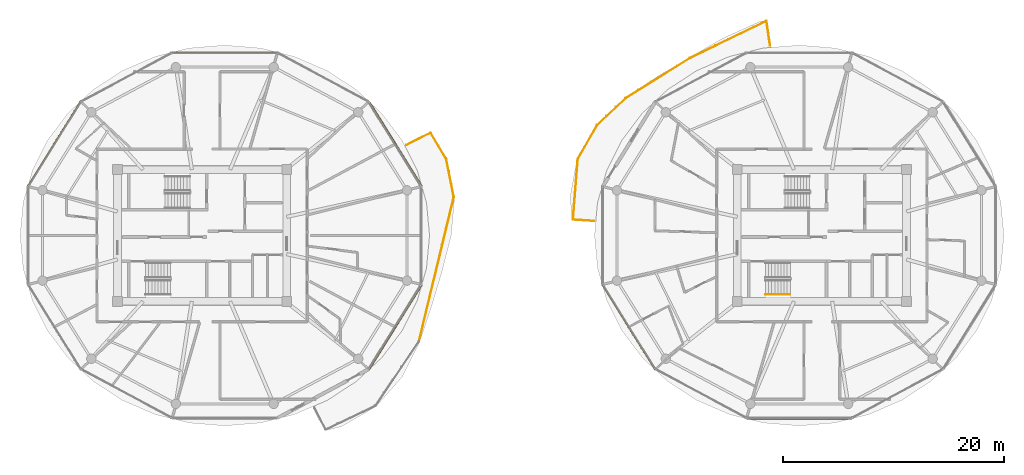
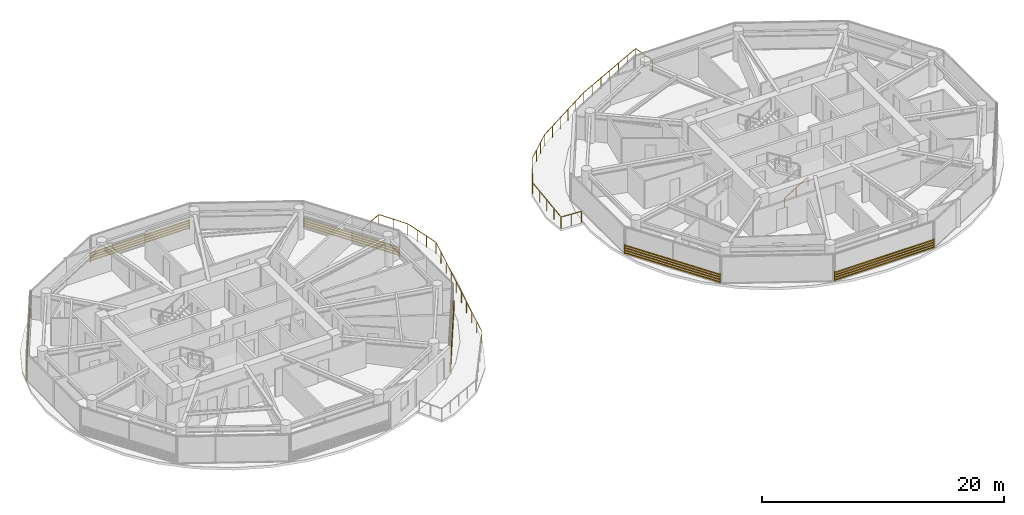
# One storey, part 21 of 22: 6 shading devices, 4 railings.
"""IFC4 building model written with IfcOpenShell, lengths in metres."""

from ifc_helpers import new_model, si_unit, direction, frame, origin, origin_2d, place, context, subcontext, project, spatial, rectangle, extrude, source, transform, mapped, material, type_object, type_shapes, element, save


model = new_model("IFC4")

# Units and contexts
model_context = context("Model", 3, precision=1e-05, world=origin(), true_north=direction((0.0, 1.0)))
body_context = subcontext(model_context, "Body", "Model", "MODEL_VIEW")
ifc_project = project(units=[si_unit("LENGTHUNIT", "METRE"), si_unit("AREAUNIT", "SQUARE_METRE"), si_unit("VOLUMEUNIT", "CUBIC_METRE"), si_unit("PLANEANGLEUNIT", "RADIAN"), si_unit("MASSUNIT", "GRAM", prefix="KILO")], contexts=[model_context])

# Site, building, storey
site_placement = place(None, origin())
site = spatial("IfcSite", under=ifc_project, at=site_placement, CompositionType="ELEMENT")
building_placement = place(site_placement, origin())
building = spatial("IfcBuilding", under=site, at=building_placement, Name="Norrkilde Senior Care Towers", CompositionType="ELEMENT")
storey_placement = place(building_placement, frame((0.0, 0.0, 123.699951171875)))
storey = spatial("IfcBuildingStorey", under=building, at=storey_placement, Name="L38", CompositionType="ELEMENT", Elevation=123.699951171875)

# Railings
ifc_material_1 = material(Name="Anodised Aluminium", Category="aluminium")
railing_type_1 = type_object("IfcRailingType", Name="Balcony Swirl Ribbon Guardrail 1150", PredefinedType="GUARDRAIL", material=ifc_material_1)
railing_1_placement = place(storey_placement, frame((5.948486328125, 6.909423828125, 0.0)))
element("IfcRailing", 1, at=railing_1_placement, inside=storey, type_object=railing_type_1, Name="L38 Perimeter Safety Guard 01", PredefinedType="GUARDRAIL", context=body_context, shape_type="SweptSolid", body=[
    extrude(rectangle(XDim=0.048095703125, YDim=0.048095703125, at=origin_2d()), frame((0.0, 0.0, 1.1259765625), z_axis=(0.495572658722, 0.868566485611, 0.0), x_axis=(-0.868566485611, 0.495572658722, 0.0)), (0.0, 0.0, 1.0), 3.488525390625),
    extrude(rectangle(XDim=0.048095703125, YDim=0.048095703125, at=origin_2d()), frame((1.77880859375, 3.093505859375, 1.1259765625), z_axis=(0.727926190241, 0.685655497725, 0.0), x_axis=(-0.685655497725, 0.727926190241, 0.0)), (0.0, 0.0, 1.0), 3.452880859375),
    extrude(rectangle(XDim=0.048095703125, YDim=0.048095703125, at=origin_2d()), frame((4.356689453125, 5.5107421875, 1.1259765625), z_axis=(0.848453626769, 0.529269726342, 0.0), x_axis=(-0.529269726342, 0.848453626769, 0.0)), (0.0, 0.0, 1.0), 6.781494140625),
    extrude(rectangle(XDim=0.048095703125, YDim=0.048095703125, at=origin_2d()), frame((10.18212890625, 9.139404296875, 1.1259765625), z_axis=(0.899979957408, 0.435931274702, 0.0), x_axis=(-0.435931274702, 0.899979957408, 0.0)), (0.0, 0.0, 1.0), 7.585205078125),
    extrude(rectangle(XDim=0.048095703125, YDim=0.048095703125, at=origin_2d()), frame((17.051513671875, 12.42333984375, 1.1259765625), z_axis=(0.146766814585, -0.989171118734, 0.0), x_axis=(0.989171118734, 0.146766814585, 0.0)), (0.0, 0.0, 1.0), 2.189697265625),
    extrude(rectangle(XDim=0.0419921875, YDim=0.0419921875, at=origin_2d()), origin(), (0.0, 0.0, 1.0), 1.099853515625),
    extrude(rectangle(XDim=0.0419921875, YDim=0.0419921875, at=origin_2d()), frame((0.5830078125, 1.021728515625, 0.0)), (0.0, 0.0, 1.0), 1.099853515625),
    extrude(rectangle(XDim=0.0419921875, YDim=0.0419921875, at=origin_2d()), frame((1.166015625, 2.043701171875, 0.0)), (0.0, 0.0, 1.0), 1.099853515625),
    extrude(rectangle(XDim=0.0419921875, YDim=0.0419921875, at=origin_2d()), frame((1.7490234375, 3.0654296875, 0.0)), (0.0, 0.0, 1.0), 1.099853515625),
    extrude(rectangle(XDim=0.0419921875, YDim=0.0419921875, at=origin_2d()), frame((2.606689453125, 3.873291015625, 0.0)), (0.0, 0.0, 1.0), 1.099853515625),
    extrude(rectangle(XDim=0.0419921875, YDim=0.0419921875, at=origin_2d()), frame((3.46435546875, 4.68115234375, 0.0)), (0.0, 0.0, 1.0), 1.099853515625),
    extrude(rectangle(XDim=0.0419921875, YDim=0.0419921875, at=origin_2d()), frame((4.322021484375, 5.489013671875, 0.0)), (0.0, 0.0, 1.0), 1.099853515625),
    extrude(rectangle(XDim=0.0419921875, YDim=0.0419921875, at=origin_2d()), frame((5.486572265625, 6.215576171875, 0.0)), (0.0, 0.0, 1.0), 1.099853515625),
    extrude(rectangle(XDim=0.0419921875, YDim=0.0419921875, at=origin_2d()), frame((6.6513671875, 6.942138671875, 0.0)), (0.0, 0.0, 1.0), 1.099853515625),
    extrude(rectangle(XDim=0.0419921875, YDim=0.0419921875, at=origin_2d()), frame((7.81591796875, 7.66845703125, 0.0)), (0.0, 0.0, 1.0), 1.099853515625),
    extrude(rectangle(XDim=0.0419921875, YDim=0.0419921875, at=origin_2d()), frame((8.980712890625, 8.39501953125, 0.0)), (0.0, 0.0, 1.0), 1.099853515625),
    extrude(rectangle(XDim=0.0419921875, YDim=0.0419921875, at=origin_2d()), frame((10.145263671875, 9.12158203125, 0.0)), (0.0, 0.0, 1.0), 1.099853515625),
    extrude(rectangle(XDim=0.0419921875, YDim=0.0419921875, at=origin_2d()), frame((11.29541015625, 9.6787109375, 0.0)), (0.0, 0.0, 1.0), 1.099853515625),
    extrude(rectangle(XDim=0.0419921875, YDim=0.0419921875, at=origin_2d()), frame((12.4453125, 10.235595703125, 0.0)), (0.0, 0.0, 1.0), 1.099853515625),
    extrude(rectangle(XDim=0.0419921875, YDim=0.0419921875, at=origin_2d()), frame((13.59521484375, 10.792724609375, 0.0)), (0.0, 0.0, 1.0), 1.099853515625),
    extrude(rectangle(XDim=0.0419921875, YDim=0.0419921875, at=origin_2d()), frame((14.745361328125, 11.349853515625, 0.0)), (0.0, 0.0, 1.0), 1.099853515625),
    extrude(rectangle(XDim=0.0419921875, YDim=0.0419921875, at=origin_2d()), frame((15.8955078125, 11.90673828125, 0.0)), (0.0, 0.0, 1.0), 1.099853515625),
    extrude(rectangle(XDim=0.0419921875, YDim=0.0419921875, at=origin_2d()), frame((17.04541015625, 12.4638671875, 0.0)), (0.0, 0.0, 1.0), 1.099853515625),
    extrude(rectangle(XDim=0.0419921875, YDim=0.0419921875, at=origin_2d()), frame((17.208984375, 11.360595703125, 0.0)), (0.0, 0.0, 1.0), 1.099853515625),
    extrude(rectangle(XDim=0.0419921875, YDim=0.0419921875, at=origin_2d()), frame((17.372802734375, 10.25732421875, 0.0)), (0.0, 0.0, 1.0), 1.099853515625),
])
railing_2_placement = place(storey_placement, frame((7.392333984375, 1.30908203125, 0.0)))
element("IfcRailing", 2, at=railing_2_placement, inside=storey, type_object=railing_type_1, Name="L38 Perimeter Safety Guard 02", PredefinedType="GUARDRAIL", context=body_context, shape_type="SweptSolid", body=[
    extrude(rectangle(XDim=0.048095703125, YDim=0.048095703125, at=origin_2d()), frame((0.0, 0.0, 1.1259765625), z_axis=(-0.99781881982, 0.066012141407, 0.0), x_axis=(-0.066012141407, -0.99781881982, 0.0)), (0.0, 0.0, 1.0), 1.84521484375),
    extrude(rectangle(XDim=0.048095703125, YDim=0.048095703125, at=origin_2d()), frame((-1.87890625, 0.165283203125, 1.1259765625), z_axis=(0.079775251326, 0.996812875757, 0.0), x_axis=(-0.996812875757, 0.079775251326, 0.0)), (0.0, 0.0, 1.0), 5.452392578125),
    extrude(rectangle(XDim=0.0419921875, YDim=0.0419921875, at=origin_2d()), origin(), (0.0, 0.0, 1.0), 1.099853515625),
    extrude(rectangle(XDim=0.0419921875, YDim=0.0419921875, at=origin_2d()), frame((-0.94091796875, 0.062255859375, 0.0)), (0.0, 0.0, 1.0), 1.099853515625),
    extrude(rectangle(XDim=0.0419921875, YDim=0.0419921875, at=origin_2d()), frame((-1.882080078125, 0.12451171875, 0.0)), (0.0, 0.0, 1.0), 1.099853515625),
    extrude(rectangle(XDim=0.0419921875, YDim=0.0419921875, at=origin_2d()), frame((-1.7724609375, 1.493408203125, 0.0)), (0.0, 0.0, 1.0), 1.099853515625),
    extrude(rectangle(XDim=0.0419921875, YDim=0.0419921875, at=origin_2d()), frame((-1.6630859375, 2.8623046875, 0.0)), (0.0, 0.0, 1.0), 1.099853515625),
    extrude(rectangle(XDim=0.0419921875, YDim=0.0419921875, at=origin_2d()), frame((-1.553466796875, 4.2314453125, 0.0)), (0.0, 0.0, 1.0), 1.099853515625),
    extrude(rectangle(XDim=0.0419921875, YDim=0.0419921875, at=origin_2d()), frame((-1.44384765625, 5.600341796875, 0.0)), (0.0, 0.0, 1.0), 1.099853515625),
])
railing_3_placement = place(storey_placement, frame((-9.518310546875, 8.18359375, 0.0)))
element("IfcRailing", 3, at=railing_3_placement, inside=storey, type_object=railing_type_1, Name="L38 Perimeter Safety Guard 04", PredefinedType="GUARDRAIL", context=body_context, shape_type="SweptSolid", body=[
    extrude(rectangle(XDim=0.048095703125, YDim=0.048095703125, at=origin_2d()), frame((0.0, 0.0, 1.1259765625), z_axis=(0.893157285766, 0.449744441747, 0.0), x_axis=(-0.449744441747, 0.893157285766, 0.0)), (0.0, 0.0, 1.0), 2.388427734375),
    extrude(rectangle(XDim=0.048095703125, YDim=0.048095703125, at=origin_2d()), frame((2.190673828125, 1.057373046875, 1.1259765625), z_axis=(0.511270205115, -0.859420023831, 0.0), x_axis=(0.859420023831, 0.511270205115, 0.0)), (0.0, 0.0, 1.0), 2.670654296875),
    extrude(rectangle(XDim=0.048095703125, YDim=0.048095703125, at=origin_2d()), frame((3.5849609375, -1.31298828125, 1.1259765625), z_axis=(0.195460864475, -0.980711502155, 0.0), x_axis=(0.980711502155, 0.195460864475, 0.0)), (0.0, 0.0, 1.0), 3.42919921875),
    extrude(rectangle(XDim=0.048095703125, YDim=0.048095703125, at=origin_2d()), frame((4.253662109375, -4.756103515625, 1.1259765625), z_axis=(-0.234660115946, -0.972077481472, 0.0), x_axis=(0.972077481472, -0.234660115946, 0.0)), (0.0, 0.0, 1.0), 13.36474609375),
    extrude(rectangle(XDim=0.0419921875, YDim=0.0419921875, at=origin_2d()), origin(), (0.0, 0.0, 1.0), 1.099853515625),
    extrude(rectangle(XDim=0.0419921875, YDim=0.0419921875, at=origin_2d()), frame((1.0849609375, 0.54638671875, 0.0)), (0.0, 0.0, 1.0), 1.099853515625),
    extrude(rectangle(XDim=0.0419921875, YDim=0.0419921875, at=origin_2d()), frame((2.169677734375, 1.092529296875, 0.0)), (0.0, 0.0, 1.0), 1.099853515625),
    extrude(rectangle(XDim=0.0419921875, YDim=0.0419921875, at=origin_2d()), frame((2.873291015625, -0.09033203125, 0.0)), (0.0, 0.0, 1.0), 1.099853515625),
    extrude(rectangle(XDim=0.0419921875, YDim=0.0419921875, at=origin_2d()), frame((3.576904296875, -1.27294921875, 0.0)), (0.0, 0.0, 1.0), 1.099853515625),
    extrude(rectangle(XDim=0.0419921875, YDim=0.0419921875, at=origin_2d()), frame((3.8056640625, -2.420654296875, 0.0)), (0.0, 0.0, 1.0), 1.099853515625),
    extrude(rectangle(XDim=0.0419921875, YDim=0.0419921875, at=origin_2d()), frame((4.034423828125, -3.568603515625, 0.0)), (0.0, 0.0, 1.0), 1.099853515625),
    extrude(rectangle(XDim=0.0419921875, YDim=0.0419921875, at=origin_2d()), frame((4.26318359375, -4.71630859375, 0.0)), (0.0, 0.0, 1.0), 1.099853515625),
    extrude(rectangle(XDim=0.0419921875, YDim=0.0419921875, at=origin_2d()), frame((3.91357421875, -6.164306640625, 0.0)), (0.0, 0.0, 1.0), 1.099853515625),
    extrude(rectangle(XDim=0.0419921875, YDim=0.0419921875, at=origin_2d()), frame((3.564208984375, -7.612060546875, 0.0)), (0.0, 0.0, 1.0), 1.099853515625),
    extrude(rectangle(XDim=0.0419921875, YDim=0.0419921875, at=origin_2d()), frame((3.214599609375, -9.06005859375, 0.0)), (0.0, 0.0, 1.0), 1.099853515625),
    extrude(rectangle(XDim=0.0419921875, YDim=0.0419921875, at=origin_2d()), frame((2.864990234375, -10.508056640625, 0.0)), (0.0, 0.0, 1.0), 1.099853515625),
    extrude(rectangle(XDim=0.0419921875, YDim=0.0419921875, at=origin_2d()), frame((2.515625, -11.955810546875, 0.0)), (0.0, 0.0, 1.0), 1.099853515625),
    extrude(rectangle(XDim=0.0419921875, YDim=0.0419921875, at=origin_2d()), frame((2.166015625, -13.40380859375, 0.0)), (0.0, 0.0, 1.0), 1.099853515625),
    extrude(rectangle(XDim=0.0419921875, YDim=0.0419921875, at=origin_2d()), frame((1.81640625, -14.851806640625, 0.0)), (0.0, 0.0, 1.0), 1.099853515625),
    extrude(rectangle(XDim=0.0419921875, YDim=0.0419921875, at=origin_2d()), frame((1.467041015625, -16.299560546875, 0.0)), (0.0, 0.0, 1.0), 1.099853515625),
    extrude(rectangle(XDim=0.0419921875, YDim=0.0419921875, at=origin_2d()), frame((1.117431640625, -17.74755859375, 0.0)), (0.0, 0.0, 1.0), 1.099853515625),
])
ifc_material_2 = material(Name="Nordic Ash Timber", Category="wood")
railing_type_2 = type_object("IfcRailingType", Name="Wall and Stair Handrail 900", PredefinedType="HANDRAIL", material=ifc_material_2)
railing_4_placement = place(storey_placement, frame((22.89990234375, -5.35009765625, 0.16943359375)))
element("IfcRailing", 4, at=railing_4_placement, inside=storey, type_object=railing_type_2, Name="L38 ST-E2 stair handrail 1", PredefinedType="HANDRAIL", context=body_context, shape_type="SweptSolid", body=[
    extrude(rectangle(XDim=0.048095703125, YDim=0.048095703125, at=origin_2d()), frame((0.0, 0.0, 0.8759765625), z_axis=(0.855512035549, 0.0, 0.517782924622), x_axis=(0.0, 1.0, 0.0)), (0.0, 0.0, 1.0), 2.618408203125),
    extrude(rectangle(XDim=0.0419921875, YDim=0.0419921875, at=origin_2d()), origin(), (0.0, 0.0, 1.0), 0.849853515625),
    extrude(rectangle(XDim=0.0419921875, YDim=0.0419921875, at=origin_2d()), frame((1.1201171875, 0.0, 0.677734375)), (0.0, 0.0, 1.0), 0.849853515625),
    extrude(rectangle(XDim=0.0419921875, YDim=0.0419921875, at=origin_2d()), frame((2.239990234375, 0.0, 1.355712890625)), (0.0, 0.0, 1.0), 0.849853515625),
])

# Shading devices
ifc_material_3 = material(Name="Architectural Terracotta", Category="masonry")
shading_device_type = type_object("IfcShadingDeviceType", Name="Horizontal Terracotta Baguette Rack", PredefinedType="USERDEFINED", material=ifc_material_3)
shared_shape_1 = source(origin(), body_context, "Body", "SweptSolid", [
    extrude(rectangle(XDim=0.070068359375, YDim=0.110107421875, at=origin_2d()), frame((0.0, 0.090087890625, 0.125), z_axis=(1.0, 0.0, 0.0), x_axis=(0.0, 1.0, 0.0)), (0.0, 0.0, 1.0), 9.01416015625),
    extrude(rectangle(XDim=0.070068359375, YDim=0.110107421875, at=origin_2d()), frame((0.0, 0.090087890625, 0.375), z_axis=(1.0, 0.0, 0.0), x_axis=(0.0, 1.0, 0.0)), (0.0, 0.0, 1.0), 9.01416015625),
    extrude(rectangle(XDim=0.070068359375, YDim=0.110107421875, at=origin_2d()), frame((0.0, 0.090087890625, 0.625), z_axis=(1.0, 0.0, 0.0), x_axis=(0.0, 1.0, 0.0)), (0.0, 0.0, 1.0), 9.01416015625),
    extrude(rectangle(XDim=0.070068359375, YDim=0.110107421875, at=origin_2d()), frame((0.0, 0.090087890625, 0.875), z_axis=(1.0, 0.0, 0.0), x_axis=(0.0, 1.0, 0.0)), (0.0, 0.0, 1.0), 9.01416015625),
    extrude(rectangle(XDim=0.050048828125, YDim=0.1552734375, at=origin_2d()), frame((0.02490234375, 0.047607421875, 0.0)), (0.0, 0.0, 1.0), 1.0),
    extrude(rectangle(XDim=0.050048828125, YDim=0.1552734375, at=origin_2d()), frame((8.9892578125, 0.047607421875, 0.0)), (0.0, 0.0, 1.0), 1.0),
])
for number, where, z_axis, x_axis, name in (
    (5, (-12.953369140625, 12.077392578125, 0.080078125), (0.0, 0.0, 1.0), (0.527734142246, -0.849412274525, 0.0), "L38 Drum W Terracotta Baguette Screen 00"),
    (6, (-43.70361328125, 4.420654296875, 0.080078125), (0.0, 0.0, 1.0), (0.527734142246, 0.849412274525, 0.0), "L38 Drum W Terracotta Baguette Screen 04"),
    (7, (-8.1962890625, -4.420654296875, 0.080078125), (0.0, 0.0, 1.0), (-0.527734142246, -0.849412274525, 0.0), "L38 Drum W Terracotta Baguette Screen 10"),
    (8, (12.953369140625, -12.077392578125, 0.080078125), (0.0, 0.0, 1.0), (-0.527734142246, 0.849412274525, 0.0), "L38 Drum E Terracotta Baguette Screen 06"),
):
    element("IfcShadingDevice", number, at=place(storey_placement, frame(where, z_axis=z_axis, x_axis=x_axis)), inside=storey, type_object=shading_device_type, Name=name, ObjectType="BAGUETTE", PredefinedType="USERDEFINED", context=body_context, shape_type="MappedRepresentation", body=[
        mapped(shared_shape_1, transform((0.0, 0.0, 0.0), x_axis=(1.0, 0.0, 0.0), y_axis=(0.0, 1.0, 0.0), z_axis=(0.0, 0.0, 1.0), scale=1.0)),
    ])
shared_shape_2 = source(origin(), body_context, "Body", "SweptSolid", [
    extrude(rectangle(XDim=0.070068359375, YDim=0.110107421875, at=origin_2d()), frame((0.0, 0.090087890625, 0.125), z_axis=(1.0, 0.0, 0.0), x_axis=(0.0, 1.0, 0.0)), (0.0, 0.0, 1.0), 9.51416015625),
    extrude(rectangle(XDim=0.070068359375, YDim=0.110107421875, at=origin_2d()), frame((0.0, 0.090087890625, 0.375), z_axis=(1.0, 0.0, 0.0), x_axis=(0.0, 1.0, 0.0)), (0.0, 0.0, 1.0), 9.51416015625),
    extrude(rectangle(XDim=0.070068359375, YDim=0.110107421875, at=origin_2d()), frame((0.0, 0.090087890625, 0.625), z_axis=(1.0, 0.0, 0.0), x_axis=(0.0, 1.0, 0.0)), (0.0, 0.0, 1.0), 9.51416015625),
    extrude(rectangle(XDim=0.070068359375, YDim=0.110107421875, at=origin_2d()), frame((0.0, 0.090087890625, 0.875), z_axis=(1.0, 0.0, 0.0), x_axis=(0.0, 1.0, 0.0)), (0.0, 0.0, 1.0), 9.51416015625),
    extrude(rectangle(XDim=0.050048828125, YDim=0.1552734375, at=origin_2d()), frame((0.02490234375, 0.047607421875, 0.0)), (0.0, 0.0, 1.0), 1.0),
    extrude(rectangle(XDim=0.050048828125, YDim=0.1552734375, at=origin_2d()), frame((9.4892578125, 0.047607421875, 0.0)), (0.0, 0.0, 1.0), 1.0),
])
type_shapes(shading_device_type, [shared_shape_1, shared_shape_2])
for number, where, z_axis, x_axis, name in (
    (9, (-30.70703125, 16.498046875, 0.080078125), (0.0, 0.0, 1.0), (1.0, 0.0, 0.0), "L38 Drum W Terracotta Baguette Screen 02"),
    (10, (30.70703125, -16.498046875, 0.080078125), (0.0, 0.0, 1.0), (-1.0, 0.0, 0.0), "L38 Drum E Terracotta Baguette Screen 08"),
):
    element("IfcShadingDevice", number, at=place(storey_placement, frame(where, z_axis=z_axis, x_axis=x_axis)), inside=storey, type_object=shading_device_type, Name=name, ObjectType="BAGUETTE", PredefinedType="USERDEFINED", context=body_context, shape_type="MappedRepresentation", body=[
        mapped(shared_shape_2, transform((0.0, 0.0, 0.0), x_axis=(1.0, 0.0, 0.0), y_axis=(0.0, 1.0, 0.0), z_axis=(0.0, 0.0, 1.0), scale=1.0)),
    ])

save(model, "model.ifc")
